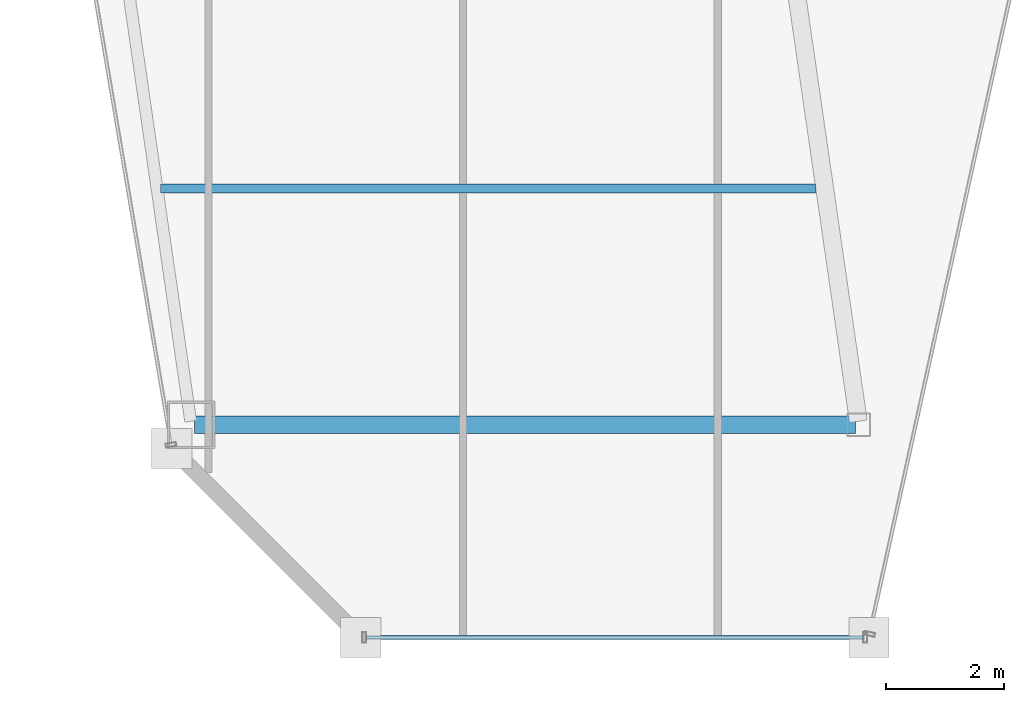
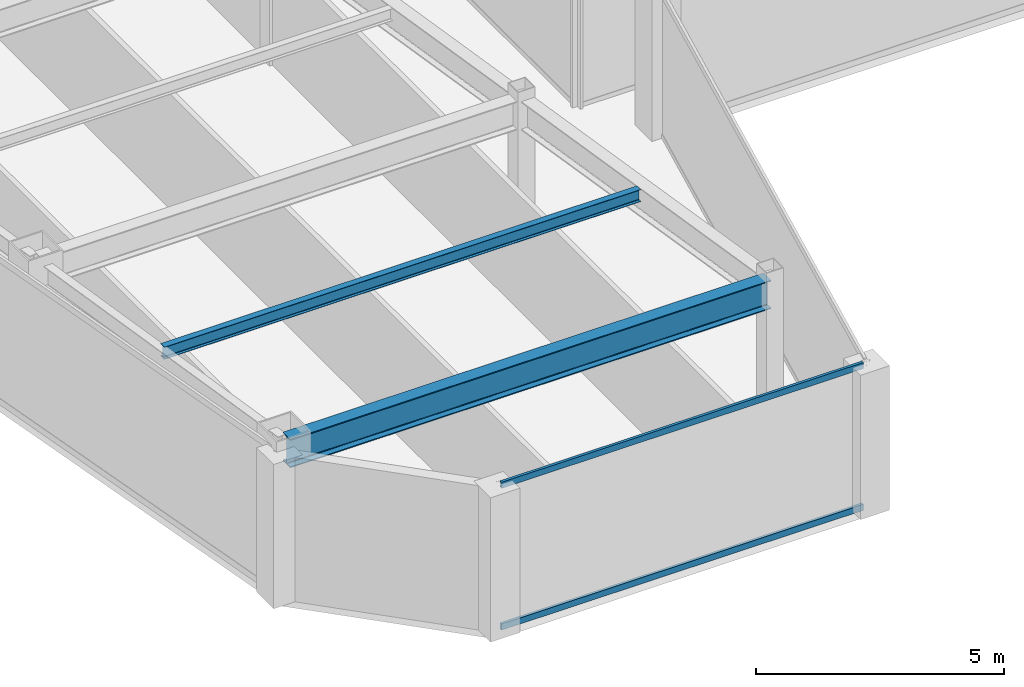
# One storey, part 4 of 35: 2 beams, 2 members, 1 element without a shape of its own.
"""IFC4 building model written with IfcOpenShell, lengths in metres."""

from ifc_helpers import new_model, si_unit, direction, frame, origin, origin_2d, place, context, subcontext, project, spatial, hollow_rectangle, i_section, extrude, material, material_profile, profile_set, type_object, element, aggregate, save


model = new_model("IFC4")

# Units and contexts
model_context = context("Model", 3, precision=1e-05, world=origin(), true_north=direction((0.0, 1.0)))
body_context = subcontext(model_context, "Body", "Model", "MODEL_VIEW")
ifc_project = project(units=[si_unit("LENGTHUNIT", "METRE"), si_unit("AREAUNIT", "SQUARE_METRE"), si_unit("VOLUMEUNIT", "CUBIC_METRE"), si_unit("PLANEANGLEUNIT", "RADIAN"), si_unit("MASSUNIT", "GRAM", prefix="KILO")], contexts=[model_context])

# Site, building, storey
site_placement = place(None, origin())
site = spatial("IfcSite", under=ifc_project, at=site_placement, CompositionType="ELEMENT")
building_placement = place(site_placement, origin())
building = spatial("IfcBuilding", under=site, at=building_placement, Name="Saevonmaru Cultural Tower", CompositionType="ELEMENT")
storey_placement = place(building_placement, frame((0.0, 0.0, 190.39990234375)))
storey = spatial("IfcBuildingStorey", under=building, at=storey_placement, Name="L43", CompositionType="ELEMENT", Elevation=190.39990234375)

# Beams
ifc_material_1 = material(Name="Steel SM355", Category="steel")
ifc_material_profile_1 = material_profile(ifc_material_1, i_section(OverallWidth=0.300048828125, OverallDepth=0.699951171875, WebThickness=0.012939453125, FlangeThickness=0.02392578125, FilletRadius=0.02587890625, at=origin_2d()), Name="H-700x300x13x24")
ifc_profile_set_1 = profile_set([ifc_material_profile_1], Name="Steel SM355")
beam_type_1 = type_object("IfcBeamType", Name="BM-G-H700", PredefinedType="BEAM", material=ifc_profile_set_1)
beam_1_placement = place(storey_placement, frame((10.68798828125, 16.0, 3.2001953125), z_axis=(1.0, 0.0, 0.0), x_axis=(0.0, 1.0, 0.0)))
element("IfcBeam", 1, at=beam_1_placement, inside=storey, type_object=beam_type_1, Name="L43 West Wing Transverse Girder 1", PredefinedType="BEAM", context=body_context, shape_type="SweptSolid", body=[
    extrude(i_section(OverallWidth=0.300048828125, OverallDepth=0.699951171875, WebThickness=0.012939453125, FlangeThickness=0.02392578125, FilletRadius=0.02587890625, at=origin_2d()), origin(), (0.0, 0.0, 1.0), 11.179931640625),
])
ifc_material_profile_2 = material_profile(ifc_material_1, i_section(OverallWidth=0.14990234375, OverallDepth=0.300048828125, WebThickness=0.006591796875, FlangeThickness=0.009033203125, FilletRadius=0.012939453125, at=origin_2d()), Name="H-300x150x6.5x9")
ifc_profile_set_2 = profile_set([ifc_material_profile_2], Name="Steel SM355")
beam_type_2 = type_object("IfcBeamType", Name="BM-J-H300", PredefinedType="JOIST", material=ifc_profile_set_2)
beam_2_placement = place(storey_placement, frame((10.110107421875, 20.0, 3.400146484375), z_axis=(1.0, 0.0, 0.0), x_axis=(0.0, 1.0, 0.0)))
element("IfcBeam", 2, at=beam_2_placement, inside=storey, type_object=beam_type_2, Name="L43 West Wing Floor Joist 1", PredefinedType="JOIST", context=body_context, shape_type="SweptSolid", body=[
    extrude(i_section(OverallWidth=0.14990234375, OverallDepth=0.300048828125, WebThickness=0.006591796875, FlangeThickness=0.009033203125, FilletRadius=0.012939453125, at=origin_2d()), origin(), (0.0, 0.0, 1.0), 11.081787109375),
])

# Curtain wall, members
ifc_material_2 = material(Name="Satin Bronze Anodised Aluminium", Category="aluminium")
curtain_wall_type = type_object("IfcCurtainWallType", Name="CW-TYP-B", PredefinedType="NOTDEFINED", material=ifc_material_2)
curtain_wall_placement = place(storey_placement, origin())
curtain_wall = element("IfcCurtainWall", 3, at=curtain_wall_placement, inside=storey, type_object=curtain_wall_type, Name="L43 Unitised Curtain Wall E2", PredefinedType="NOTDEFINED")
ifc_material_profile_3 = material_profile(ifc_material_2, hollow_rectangle(XDim=0.06494140625, YDim=0.14990234375, WallThickness=0.00390625, at=origin_2d()), Name="ALU-TRAN-150x65x4")
ifc_profile_set_3 = profile_set([ifc_material_profile_3], Name="Satin Bronze Anodised Aluminium")
member_type = type_object("IfcMemberType", Name="TR-CW-150x65", PredefinedType="USERDEFINED", material=ifc_profile_set_3)
member_1_placement = place(storey_placement, frame((13.59033203125, 12.39990234375, 0.03271484375), z_axis=(1.0, 0.0, 0.0), x_axis=(0.0, 1.0, 0.0)))
member_1 = element("IfcMember", 4, at=member_1_placement, type_object=member_type, Name="CW-TW-L43-E2 transom 1.1", ObjectType="TRANSOM", PredefinedType="USERDEFINED", context=body_context, shape_type="SweptSolid", body=[
    extrude(hollow_rectangle(XDim=0.06494140625, YDim=0.14990234375, WallThickness=0.00390625, at=origin_2d()), origin(), (0.0, 0.0, 1.0), 8.4150390625),
])
member_2_placement = place(storey_placement, frame((13.59033203125, 12.39990234375, 3.517578125), z_axis=(1.0, 0.0, 0.0), x_axis=(0.0, 1.0, 0.0)))
member_2 = element("IfcMember", 5, at=member_2_placement, type_object=member_type, Name="CW-TW-L43-E2 transom 1.2", ObjectType="TRANSOM", PredefinedType="USERDEFINED", context=body_context, shape_type="SweptSolid", body=[
    extrude(hollow_rectangle(XDim=0.06494140625, YDim=0.14990234375, WallThickness=0.00390625, at=origin_2d()), origin(), (0.0, 0.0, 1.0), 8.4150390625),
])
aggregate(curtain_wall, [member_1, member_2])

save(model, "model.ifc")
